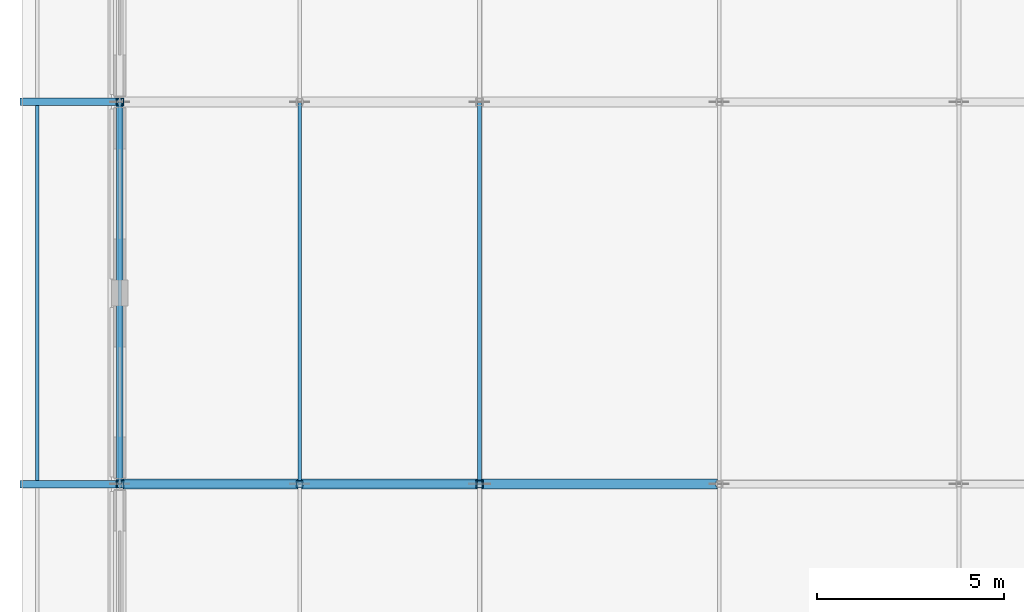
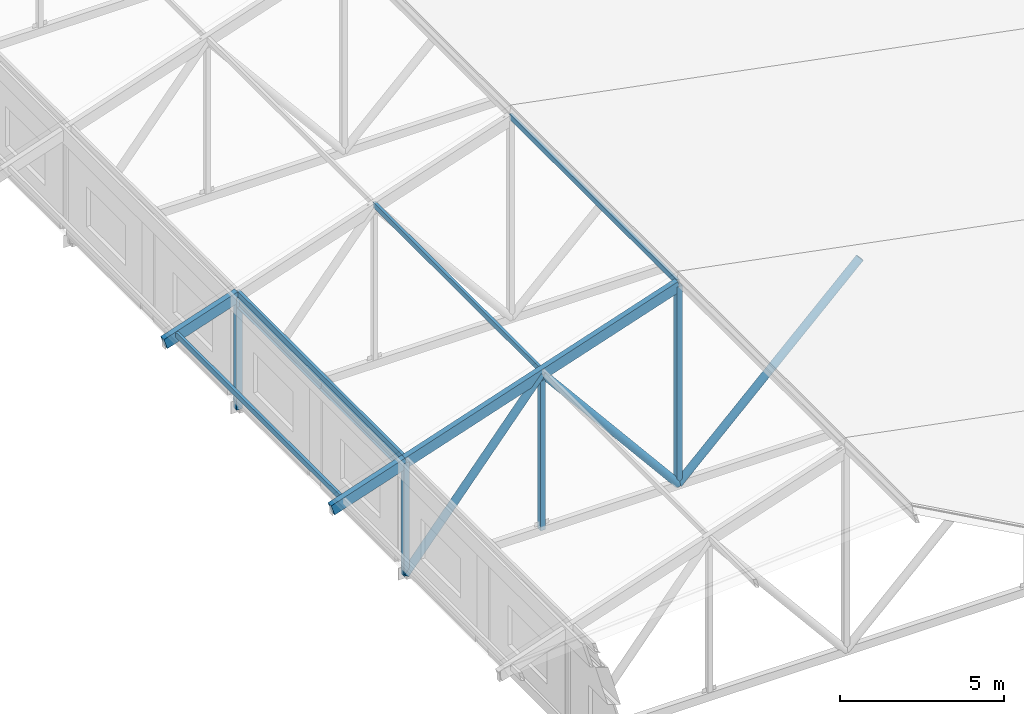
# One storey, part 47 of 200: 14 members, 2 beams.
"""IFC4 building model written with IfcOpenShell, lengths in metres."""

from ifc_helpers import new_model, si_unit, direction, frame, origin, origin_2d, place, context, subcontext, project, spatial, hollow_rectangle, hollow_circle, i_section, extrude, material, material_profile, profile_set, type_object, element, save


model = new_model("IFC4")

# Units and contexts
model_context = context("Model", 3, precision=1e-05, world=origin(), true_north=direction((0.0, 1.0)))
body_context = subcontext(model_context, "Body", "Model", "MODEL_VIEW")
ifc_project = project(units=[si_unit("LENGTHUNIT", "METRE"), si_unit("AREAUNIT", "SQUARE_METRE"), si_unit("VOLUMEUNIT", "CUBIC_METRE"), si_unit("PLANEANGLEUNIT", "RADIAN"), si_unit("MASSUNIT", "GRAM", prefix="KILO")], contexts=[model_context])

# Site, building, storey
site_placement = place(None, origin())
site = spatial("IfcSite", under=ifc_project, at=site_placement, CompositionType="ELEMENT")
building_placement = place(site_placement, origin())
building = spatial("IfcBuilding", under=site, at=building_placement, Name="Vondelvale Polytechnic", CompositionType="ELEMENT")
storey_placement = place(building_placement, frame((0.0, 0.0, 13.800048828125)))
storey = spatial("IfcBuildingStorey", under=building, at=storey_placement, Name="L03", CompositionType="ELEMENT", Elevation=13.800048828125)

# Beams
ifc_material_1 = material(Name="Steel 300PLUS (fy = 300 MPa)", Category="steel")
ifc_material_profile_1 = material_profile(ifc_material_1, i_section(OverallWidth=0.172119140625, OverallDepth=0.35888671875, WebThickness=0.008056640625, FlangeThickness=0.012939453125, FilletRadius=0.011474609375, at=origin_2d()), Name="360UB56.7")
ifc_profile_set_1 = profile_set([ifc_material_profile_1], Name="Steel 300PLUS (fy = 300 MPa)")
beam_type = type_object("IfcBeamType", Name="BM-UB360H", PredefinedType="BEAM", material=ifc_profile_set_1)
beam_1_placement = place(storey_placement, frame((0.0, 81.60009765625, 3.570556640625), z_axis=(0.0, 1.0, 0.0), x_axis=(-1.0, 0.0, 0.0)))
element("IfcBeam", 1, at=beam_1_placement, inside=storey, type_object=beam_type, Name="L03 WE B-15", PredefinedType="BEAM", context=body_context, shape_type="SweptSolid", body=[
    extrude(i_section(OverallWidth=0.172119140625, OverallDepth=0.35888671875, WebThickness=0.008056640625, FlangeThickness=0.012939453125, FilletRadius=0.011474609375, at=origin_2d()), origin(), (0.0, 0.0, 1.0), 5.099853515625),
])
beam_2_placement = place(storey_placement, frame((0.0, 86.699951171875, 3.570556640625), z_axis=(0.0, 1.0, 0.0), x_axis=(-1.0, 0.0, 0.0)))
element("IfcBeam", 2, at=beam_2_placement, inside=storey, type_object=beam_type, Name="L03 WE B-15", PredefinedType="BEAM", context=body_context, shape_type="SweptSolid", body=[
    extrude(i_section(OverallWidth=0.172119140625, OverallDepth=0.35888671875, WebThickness=0.008056640625, FlangeThickness=0.012939453125, FilletRadius=0.011474609375, at=origin_2d()), origin(), (0.0, 0.0, 1.0), 5.10009765625),
])

# Members
ifc_material_2 = material(Name="Steel C350L0 (fy = 350 MPa)", Category="steel")
ifc_material_profile_2 = material_profile(ifc_material_2, hollow_rectangle(XDim=0.10009765625, YDim=0.199951171875, WallThickness=0.006103515625, at=origin_2d()), Name="200x100x6.0RHS")
ifc_profile_set_2 = profile_set([ifc_material_profile_2], Name="Steel C350L0 (fy = 350 MPa)")
member_type_1 = type_object("IfcMemberType", Name="PURLIN RHS200", PredefinedType="PURLIN", material=ifc_profile_set_2)
for number, where, z_axis, x_axis, name in (
    (3, (-2.199951171875, 81.60009765625, 3.140869140625), (0.0, 1.0, 0.0), (-1.0, 0.0, 0.0), "Workshop roof purlin bay 4"),
    (4, (0.0, 81.60009765625, 3.874267578125), (0.0, 1.0, 0.0), (-1.0, 0.0, 0.0), "Workshop roof purlin bay 4"),
    (5, (4.800048828125, 81.60009765625, 5.47412109375), (0.0, 1.0, 0.0), (-1.0, 0.0, 0.0), "Workshop roof purlin bay 4"),
    (6, (9.60009765625, 81.60009765625, 7.07421875), (0.0, 1.0, 0.0), (-1.0, 0.0, 0.0), "Workshop roof purlin bay 4"),
):
    element("IfcMember", number, at=place(storey_placement, frame(where, z_axis=z_axis, x_axis=x_axis)), inside=storey, type_object=member_type_1, Name=name, PredefinedType="PURLIN", context=body_context, shape_type="SweptSolid", body=[
        extrude(hollow_rectangle(XDim=0.10009765625, YDim=0.199951171875, WallThickness=0.006103515625, at=origin_2d()), origin(), (0.0, 0.0, 1.0), 10.199951171875),
    ])
ifc_material_profile_3 = material_profile(ifc_material_2, hollow_circle(Radius=0.136474609375, WallThickness=0.00927734375, at=origin_2d()), Name="273.1x9.3CHS")
ifc_profile_set_3 = profile_set([ifc_material_profile_3], Name="Steel C350L0 (fy = 350 MPa)")
member_type_2 = type_object("IfcMemberType", Name="ROOF TRUSS BRACE 273CHS", PredefinedType="BRACE", material=ifc_profile_set_3)
for number, where, z_axis, x_axis, name in (
    (7, (0.0, 81.60009765625, -0.420166015625), (0.6375683777, 0.0, 0.770393771884), (0.0, 1.0, 0.0), "ROOF TRUSS TR-04 web diagonal 1"),
    (8, (4.800048828125, 81.60009765625, 5.3798828125), (0.6375683777, 0.0, -0.770393771884), (0.0, 1.0, 0.0), "ROOF TRUSS TR-04 web diagonal 2"),
):
    element("IfcMember", number, at=place(storey_placement, frame(where, z_axis=z_axis, x_axis=x_axis)), inside=storey, type_object=member_type_2, Name=name, PredefinedType="BRACE", context=body_context, shape_type="SweptSolid", body=[
        extrude(hollow_circle(Radius=0.136474609375, WallThickness=0.00927734375, at=origin_2d()), origin(), (0.0, 0.0, 1.0), 7.528564453125),
    ])
member_1_placement = place(storey_placement, frame((9.60009765625, 81.60009765625, -0.420166015625), z_axis=(0.720102098263, 0.0, 0.69386812009), x_axis=(0.0, 1.0, 0.0)))
element("IfcMember", 9, at=member_1_placement, inside=storey, type_object=member_type_2, Name="ROOF TRUSS TR-04 web diagonal 3", PredefinedType="BRACE", context=body_context, shape_type="SweptSolid", body=[
    extrude(hollow_circle(Radius=0.136474609375, WallThickness=0.00927734375, at=origin_2d()), origin(), (0.0, 0.0, 1.0), 8.887451171875),
])
ifc_material_profile_4 = material_profile(ifc_material_2, hollow_rectangle(XDim=0.175048828125, YDim=0.175048828125, WallThickness=0.006103515625, at=origin_2d()), Name="175x175x6.0SHS")
ifc_profile_set_4 = profile_set([ifc_material_profile_4], Name="Steel C350L0 (fy = 350 MPa)")
member_type_3 = type_object("IfcMemberType", Name="ROOF TRUSS POST 175SHS", PredefinedType="POST", material=ifc_profile_set_4)
member_2_placement = place(storey_placement, frame((4.800048828125, 81.60009765625, -0.420166015625), z_axis=(0.0, 0.0, 1.0), x_axis=(1.0, 0.0, 0.0)))
element("IfcMember", 10, at=member_2_placement, inside=storey, type_object=member_type_3, Name="ROOF TRUSS TR-04 vertical post 1", PredefinedType="POST", context=body_context, shape_type="SweptSolid", body=[
    extrude(hollow_rectangle(XDim=0.175048828125, YDim=0.175048828125, WallThickness=0.006103515625, at=origin_2d()), origin(), (0.0, 0.0, 1.0), 5.800048828125),
])
ifc_material_profile_5 = material_profile(ifc_material_2, hollow_rectangle(XDim=0.199951171875, YDim=0.199951171875, WallThickness=0.009033203125, at=origin_2d()), Name="200x200x9.0SHS")
ifc_profile_set_5 = profile_set([ifc_material_profile_5], Name="Steel C350L0 (fy = 350 MPa)")
member_type_4 = type_object("IfcMemberType", Name="ROOF TRUSS POST 200SHS", PredefinedType="POST", material=ifc_profile_set_5)
member_3_placement = place(storey_placement, frame((0.0, 81.60009765625, -0.420166015625), z_axis=(0.0, 0.0, 1.0), x_axis=(1.0, 0.0, 0.0)))
element("IfcMember", 11, at=member_3_placement, inside=storey, type_object=member_type_4, Name="ROOF TRUSS TR-04 vertical post 0", PredefinedType="POST", context=body_context, shape_type="SweptSolid", body=[
    extrude(hollow_rectangle(XDim=0.199951171875, YDim=0.199951171875, WallThickness=0.009033203125, at=origin_2d()), origin(), (0.0, 0.0, 1.0), 4.2001953125),
])
member_4_placement = place(storey_placement, frame((9.60009765625, 81.60009765625, -0.420166015625), z_axis=(0.0, 0.0, 1.0), x_axis=(1.0, 0.0, 0.0)))
element("IfcMember", 12, at=member_4_placement, inside=storey, type_object=member_type_4, Name="ROOF TRUSS TR-04 vertical post 2", PredefinedType="POST", context=body_context, shape_type="SweptSolid", body=[
    extrude(hollow_rectangle(XDim=0.199951171875, YDim=0.199951171875, WallThickness=0.009033203125, at=origin_2d()), origin(), (0.0, 0.0, 1.0), 7.400146484375),
])
member_5_placement = place(storey_placement, frame((0.0, 91.800048828125, -0.420166015625), z_axis=(0.0, 0.0, 1.0), x_axis=(1.0, 0.0, 0.0)))
element("IfcMember", 13, at=member_5_placement, inside=storey, type_object=member_type_4, Name="ROOF TRUSS TR-05 vertical post 0", PredefinedType="POST", context=body_context, shape_type="SweptSolid", body=[
    extrude(hollow_rectangle(XDim=0.199951171875, YDim=0.199951171875, WallThickness=0.009033203125, at=origin_2d()), origin(), (0.0, 0.0, 1.0), 4.2001953125),
])
ifc_material_profile_6 = material_profile(ifc_material_2, hollow_rectangle(XDim=0.199951171875, YDim=0.39990234375, WallThickness=0.010009765625, at=origin_2d()), Name="400x200x10.0RHS")
ifc_profile_set_6 = profile_set([ifc_material_profile_6], Name="Steel C350L0 (fy = 350 MPa)")
member_type_5 = type_object("IfcMemberType", Name="ROOF TRUSS TOP CHORD 400RHS", PredefinedType="CHORD", material=ifc_profile_set_6)
member_6_placement = place(storey_placement, frame((-2.60009765625, 81.60009765625, 2.913330078125), z_axis=(0.948683298051, 0.0, 0.316227766017), x_axis=(0.0, 1.0, 0.0)))
element("IfcMember", 14, at=member_6_placement, inside=storey, type_object=member_type_5, Name="ROOF TRUSS TR-04 top chord 1", PredefinedType="CHORD", context=body_context, shape_type="SweptSolid", body=[
    extrude(hollow_rectangle(XDim=0.199951171875, YDim=0.39990234375, WallThickness=0.010009765625, at=origin_2d()), origin(), (0.0, 0.0, 1.0), 2.74072265625),
])
member_7_placement = place(storey_placement, frame((0.0, 81.60009765625, 3.780029296875), z_axis=(0.948685710631, 0.0, 0.316220528184), x_axis=(0.0, 1.0, 0.0)))
element("IfcMember", 15, at=member_7_placement, inside=storey, type_object=member_type_5, Name="ROOF TRUSS TR-04 top chord 2", PredefinedType="CHORD", context=body_context, shape_type="SweptSolid", body=[
    extrude(hollow_rectangle(XDim=0.199951171875, YDim=0.39990234375, WallThickness=0.010009765625, at=origin_2d()), origin(), (0.0, 0.0, 1.0), 10.119384765625),
])
member_8_placement = place(storey_placement, frame((-2.60009765625, 91.800048828125, 2.913330078125), z_axis=(0.948683298051, 0.0, 0.316227766017), x_axis=(0.0, 1.0, 0.0)))
element("IfcMember", 16, at=member_8_placement, inside=storey, type_object=member_type_5, Name="ROOF TRUSS TR-05 top chord 1", PredefinedType="CHORD", context=body_context, shape_type="SweptSolid", body=[
    extrude(hollow_rectangle(XDim=0.199951171875, YDim=0.39990234375, WallThickness=0.010009765625, at=origin_2d()), origin(), (0.0, 0.0, 1.0), 2.74072265625),
])

save(model, "model.ifc")
